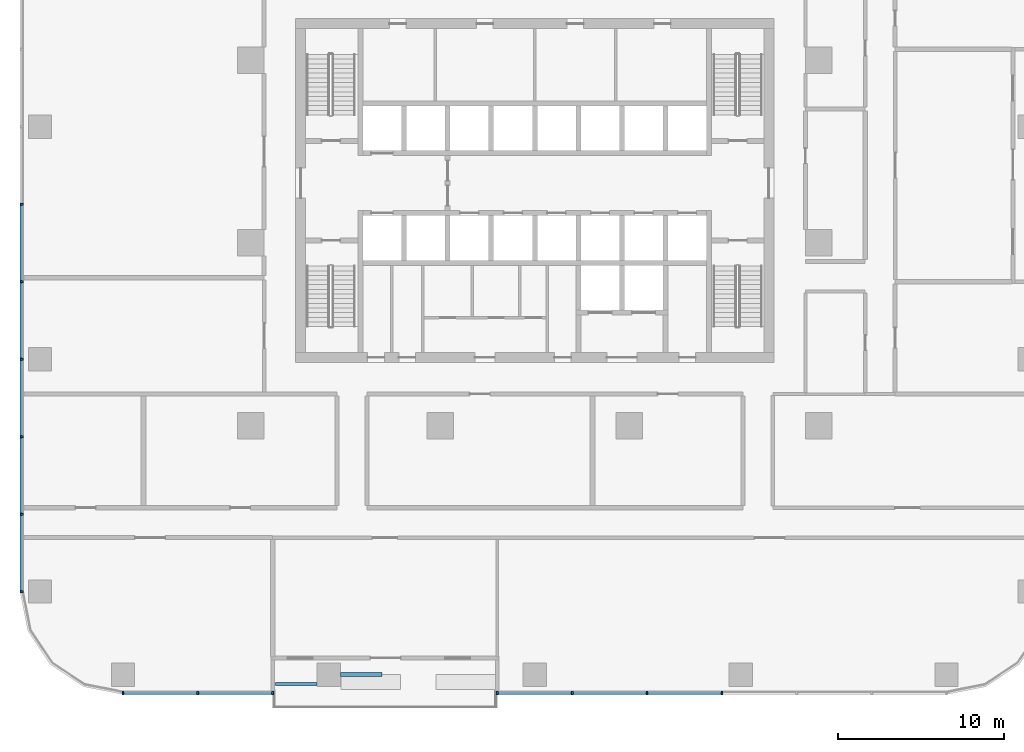
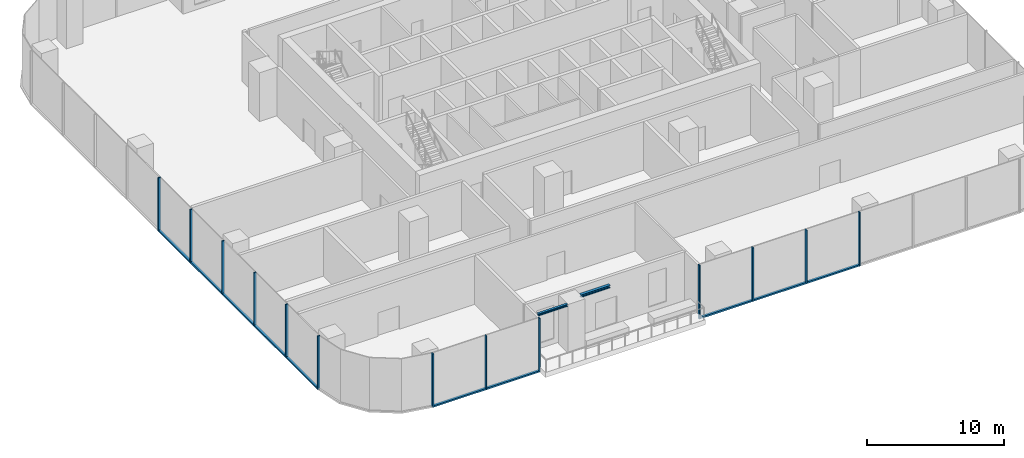
# One storey, part 2 of 15: 23 members, 2 beams, 3 elements without a shape of their own.
"""IFC4 building model written with IfcOpenShell, lengths in metres."""

from ifc_helpers import new_model, si_unit, direction, frame, origin, origin_2d, place, context, subcontext, project, spatial, rectangle, i_section, extrude, material, material_profile, profile_set, type_object, element, aggregate, save


model = new_model("IFC4")

# Units and contexts
model_context = context("Model", 3, precision=1e-05, world=origin(), true_north=direction((0.0, 1.0)))
body_context = subcontext(model_context, "Body", "Model", "MODEL_VIEW")
ifc_project = project(units=[si_unit("LENGTHUNIT", "METRE"), si_unit("AREAUNIT", "SQUARE_METRE"), si_unit("VOLUMEUNIT", "CUBIC_METRE"), si_unit("PLANEANGLEUNIT", "RADIAN"), si_unit("MASSUNIT", "GRAM", prefix="KILO")], contexts=[model_context])

# Site, building, storey
site_placement = place(None, origin())
site = spatial("IfcSite", under=ifc_project, at=site_placement, CompositionType="ELEMENT")
building_placement = place(site_placement, origin())
building = spatial("IfcBuilding", under=site, at=building_placement, Name="Mopane Tessera Tower", CompositionType="ELEMENT")
storey_placement = place(building_placement, frame((0.0, 0.0, 64.60009765625)))
storey = spatial("IfcBuildingStorey", under=building, at=storey_placement, Name="L12", CompositionType="ELEMENT", Elevation=64.60009765625)

# Curtain wall, members
ifc_material_1 = material(Name="Aluminium frame", Category="aluminium")
curtain_wall_type = type_object("IfcCurtainWallType", Name="Lower tower unitised wall", PredefinedType="NOTDEFINED", material=ifc_material_1)
curtain_wall_1_placement = place(storey_placement, origin())
curtain_wall_1 = element("IfcCurtainWall", 1, at=curtain_wall_1_placement, inside=storey, type_object=curtain_wall_type, Name="e:cw:L12:S:0", PredefinedType="NOTDEFINED")
ifc_material_2 = material(Name="Aluminium frame", Category="aluminium")
ifc_material_profile_1 = material_profile(ifc_material_2, rectangle(XDim=0.110107421875, YDim=0.199951171875, at=origin_2d()))
ifc_profile_set_1 = profile_set([ifc_material_profile_1], Name="Aluminium frame")
member_type_1 = type_object("IfcMemberType", Name="Aluminium mullion 110 x 200", PredefinedType="MULLION", material=ifc_profile_set_1)
member_1_placement = place(storey_placement, frame((-24.800048828125, -27.10009765625, -0.4501953125), z_axis=(0.0, 0.0, 1.0), x_axis=(1.0, 0.0, 0.0)))
member_1 = element("IfcMember", 2, at=member_1_placement, type_object=member_type_1, Name="e:cw:L12:S:0:mu0", PredefinedType="MULLION", context=body_context, shape_type="SweptSolid", body=[
    extrude(rectangle(XDim=0.110107421875, YDim=0.199951171875, at=origin_2d()), origin(), (0.0, 0.0, 1.0), 4.800048828125),
])
member_2_placement = place(storey_placement, frame((-20.291015625, -27.10009765625, -0.4501953125), z_axis=(0.0, 0.0, 1.0), x_axis=(1.0, 0.0, 0.0)))
member_2 = element("IfcMember", 3, at=member_2_placement, type_object=member_type_1, Name="e:cw:L12:S:0:mu1", PredefinedType="MULLION", context=body_context, shape_type="SweptSolid", body=[
    extrude(rectangle(XDim=0.110107421875, YDim=0.199951171875, at=origin_2d()), origin(), (0.0, 0.0, 1.0), 4.800048828125),
])
member_3_placement = place(storey_placement, frame((-15.78173828125, -27.10009765625, -0.4501953125), z_axis=(0.0, 0.0, 1.0), x_axis=(1.0, 0.0, 0.0)))
member_3 = element("IfcMember", 4, at=member_3_placement, type_object=member_type_1, Name="e:cw:L12:S:0:mu2", PredefinedType="MULLION", context=body_context, shape_type="SweptSolid", body=[
    extrude(rectangle(XDim=0.110107421875, YDim=0.199951171875, at=origin_2d()), origin(), (0.0, 0.0, 1.0), 4.800048828125),
])

curtain_wall_2_placement = place(storey_placement, origin())
curtain_wall_2 = element("IfcCurtainWall", 5, at=curtain_wall_2_placement, inside=storey, type_object=curtain_wall_type, Name="e:cw:L12:S:5", PredefinedType="NOTDEFINED")
member_4_placement = place(storey_placement, frame((-2.254638671875, -27.10009765625, -0.4501953125), z_axis=(0.0, 0.0, 1.0), x_axis=(1.0, 0.0, 0.0)))
member_4 = element("IfcMember", 6, at=member_4_placement, type_object=member_type_1, Name="e:cw:L12:S:5:mu5", PredefinedType="MULLION", context=body_context, shape_type="SweptSolid", body=[
    extrude(rectangle(XDim=0.110107421875, YDim=0.199951171875, at=origin_2d()), origin(), (0.0, 0.0, 1.0), 4.800048828125),
])
member_5_placement = place(storey_placement, frame((2.254638671875, -27.10009765625, -0.4501953125), z_axis=(0.0, 0.0, 1.0), x_axis=(1.0, 0.0, 0.0)))
member_5 = element("IfcMember", 7, at=member_5_placement, type_object=member_type_1, Name="e:cw:L12:S:5:mu6", PredefinedType="MULLION", context=body_context, shape_type="SweptSolid", body=[
    extrude(rectangle(XDim=0.110107421875, YDim=0.199951171875, at=origin_2d()), origin(), (0.0, 0.0, 1.0), 4.800048828125),
])
member_6_placement = place(storey_placement, frame((6.763671875, -27.10009765625, -0.4501953125), z_axis=(0.0, 0.0, 1.0), x_axis=(1.0, 0.0, 0.0)))
member_6 = element("IfcMember", 8, at=member_6_placement, type_object=member_type_1, Name="e:cw:L12:S:5:mu7", PredefinedType="MULLION", context=body_context, shape_type="SweptSolid", body=[
    extrude(rectangle(XDim=0.110107421875, YDim=0.199951171875, at=origin_2d()), origin(), (0.0, 0.0, 1.0), 4.800048828125),
])
member_7_placement = place(storey_placement, frame((11.272705078125, -27.10009765625, -0.4501953125), z_axis=(0.0, 0.0, 1.0), x_axis=(1.0, 0.0, 0.0)))
member_7 = element("IfcMember", 9, at=member_7_placement, type_object=member_type_1, Name="e:cw:L12:S:5:mu8", PredefinedType="MULLION", context=body_context, shape_type="SweptSolid", body=[
    extrude(rectangle(XDim=0.110107421875, YDim=0.199951171875, at=origin_2d()), origin(), (0.0, 0.0, 1.0), 4.800048828125),
])

curtain_wall_3_placement = place(storey_placement, origin())
curtain_wall_3 = element("IfcCurtainWall", 10, at=curtain_wall_3_placement, inside=storey, type_object=curtain_wall_type, Name="e:cw:L12:W:0", PredefinedType="NOTDEFINED")
member_8_placement = place(storey_placement, frame((-30.89990234375, 2.333251953125, -0.4501953125), z_axis=(0.0, 0.0, 1.0), x_axis=(0.0, -1.0, 0.0)))
member_8 = element("IfcMember", 11, at=member_8_placement, type_object=member_type_1, Name="e:cw:L12:W:0:mu4", PredefinedType="MULLION", context=body_context, shape_type="SweptSolid", body=[
    extrude(rectangle(XDim=0.110107421875, YDim=0.199951171875, at=origin_2d()), origin(), (0.0, 0.0, 1.0), 4.800048828125),
])
member_9_placement = place(storey_placement, frame((-30.89990234375, -2.333251953125, -0.4501953125), z_axis=(0.0, 0.0, 1.0), x_axis=(0.0, -1.0, 0.0)))
member_9 = element("IfcMember", 12, at=member_9_placement, type_object=member_type_1, Name="e:cw:L12:W:0:mu5", PredefinedType="MULLION", context=body_context, shape_type="SweptSolid", body=[
    extrude(rectangle(XDim=0.110107421875, YDim=0.199951171875, at=origin_2d()), origin(), (0.0, 0.0, 1.0), 4.800048828125),
])
member_10_placement = place(storey_placement, frame((-30.89990234375, -7.0, -0.4501953125), z_axis=(0.0, 0.0, 1.0), x_axis=(0.0, -1.0, 0.0)))
member_10 = element("IfcMember", 13, at=member_10_placement, type_object=member_type_1, Name="e:cw:L12:W:0:mu6", PredefinedType="MULLION", context=body_context, shape_type="SweptSolid", body=[
    extrude(rectangle(XDim=0.110107421875, YDim=0.199951171875, at=origin_2d()), origin(), (0.0, 0.0, 1.0), 4.800048828125),
])
member_11_placement = place(storey_placement, frame((-30.89990234375, -11.666748046875, -0.4501953125), z_axis=(0.0, 0.0, 1.0), x_axis=(0.0, -1.0, 0.0)))
member_11 = element("IfcMember", 14, at=member_11_placement, type_object=member_type_1, Name="e:cw:L12:W:0:mu7", PredefinedType="MULLION", context=body_context, shape_type="SweptSolid", body=[
    extrude(rectangle(XDim=0.110107421875, YDim=0.199951171875, at=origin_2d()), origin(), (0.0, 0.0, 1.0), 4.800048828125),
])
member_12_placement = place(storey_placement, frame((-30.89990234375, -16.333251953125, -0.4501953125), z_axis=(0.0, 0.0, 1.0), x_axis=(0.0, -1.0, 0.0)))
member_12 = element("IfcMember", 15, at=member_12_placement, type_object=member_type_1, Name="e:cw:L12:W:0:mu8", PredefinedType="MULLION", context=body_context, shape_type="SweptSolid", body=[
    extrude(rectangle(XDim=0.110107421875, YDim=0.199951171875, at=origin_2d()), origin(), (0.0, 0.0, 1.0), 4.800048828125),
])
member_13_placement = place(storey_placement, frame((-30.89990234375, -21.0, -0.4501953125), z_axis=(0.0, 0.0, 1.0), x_axis=(0.0, -1.0, 0.0)))
member_13 = element("IfcMember", 16, at=member_13_placement, type_object=member_type_1, Name="e:cw:L12:W:0:mu9", PredefinedType="MULLION", context=body_context, shape_type="SweptSolid", body=[
    extrude(rectangle(XDim=0.110107421875, YDim=0.199951171875, at=origin_2d()), origin(), (0.0, 0.0, 1.0), 4.800048828125),
])

# Member
ifc_material_3 = material(Name="Aluminium frame", Category="aluminium")
ifc_material_profile_2 = material_profile(ifc_material_3, rectangle(XDim=0.199951171875, YDim=0.139892578125, at=origin_2d()))
ifc_profile_set_2 = profile_set([ifc_material_profile_2], Name="Aluminium frame")
member_type_2 = type_object("IfcMemberType", Name="Aluminium transom 200 x 140", PredefinedType="USERDEFINED", material=ifc_profile_set_2)
member_14_placement = place(storey_placement, frame((-24.7451171875, -27.10009765625, -0.380126953125), z_axis=(1.0, 0.0, 0.0), x_axis=(0.0, 1.0, 0.0)))
member_14 = element("IfcMember", 17, at=member_14_placement, type_object=member_type_2, Name="e:cw:L12:S:0:tr0", ObjectType="TRANSOM", PredefinedType="USERDEFINED", context=body_context, shape_type="SweptSolid", body=[
    extrude(rectangle(XDim=0.199951171875, YDim=0.139892578125, at=origin_2d()), origin(), (0.0, 0.0, 1.0), 4.399169921875),
])

member_15_placement = place(storey_placement, frame((-20.23583984375, -27.10009765625, -0.380126953125), z_axis=(1.0, 0.0, 0.0), x_axis=(0.0, 1.0, 0.0)))
member_15 = element("IfcMember", 18, at=member_15_placement, type_object=member_type_2, Name="e:cw:L12:S:0:tr1", ObjectType="TRANSOM", PredefinedType="USERDEFINED", context=body_context, shape_type="SweptSolid", body=[
    extrude(rectangle(XDim=0.199951171875, YDim=0.139892578125, at=origin_2d()), origin(), (0.0, 0.0, 1.0), 4.39892578125),
])

aggregate(curtain_wall_1, [member_1, member_2, member_3, member_14, member_15])

member_16_placement = place(storey_placement, frame((-2.199462890625, -27.10009765625, -0.380126953125), z_axis=(1.0, 0.0, 0.0), x_axis=(0.0, 1.0, 0.0)))
member_16 = element("IfcMember", 19, at=member_16_placement, type_object=member_type_2, Name="e:cw:L12:S:5:tr5", ObjectType="TRANSOM", PredefinedType="USERDEFINED", context=body_context, shape_type="SweptSolid", body=[
    extrude(rectangle(XDim=0.199951171875, YDim=0.139892578125, at=origin_2d()), origin(), (0.0, 0.0, 1.0), 4.39892578125),
])

member_17_placement = place(storey_placement, frame((2.3095703125, -27.10009765625, -0.380126953125), z_axis=(1.0, 0.0, 0.0), x_axis=(0.0, 1.0, 0.0)))
member_17 = element("IfcMember", 20, at=member_17_placement, type_object=member_type_2, Name="e:cw:L12:S:5:tr6", ObjectType="TRANSOM", PredefinedType="USERDEFINED", context=body_context, shape_type="SweptSolid", body=[
    extrude(rectangle(XDim=0.199951171875, YDim=0.139892578125, at=origin_2d()), origin(), (0.0, 0.0, 1.0), 4.399169921875),
])

member_18_placement = place(storey_placement, frame((6.818603515625, -27.10009765625, -0.380126953125), z_axis=(1.0, 0.0, 0.0), x_axis=(0.0, 1.0, 0.0)))
member_18 = element("IfcMember", 21, at=member_18_placement, type_object=member_type_2, Name="e:cw:L12:S:5:tr7", ObjectType="TRANSOM", PredefinedType="USERDEFINED", context=body_context, shape_type="SweptSolid", body=[
    extrude(rectangle(XDim=0.199951171875, YDim=0.139892578125, at=origin_2d()), origin(), (0.0, 0.0, 1.0), 4.399169921875),
])

aggregate(curtain_wall_2, [member_4, member_5, member_6, member_7, member_16, member_17, member_18])

member_19_placement = place(storey_placement, frame((-30.89990234375, 2.2783203125, -0.380126953125), z_axis=(0.0, -1.0, 0.0), x_axis=(1.0, 0.0, 0.0)))
member_19 = element("IfcMember", 22, at=member_19_placement, type_object=member_type_2, Name="e:cw:L12:W:0:tr4", ObjectType="TRANSOM", PredefinedType="USERDEFINED", context=body_context, shape_type="SweptSolid", body=[
    extrude(rectangle(XDim=0.199951171875, YDim=0.139892578125, at=origin_2d()), origin(), (0.0, 0.0, 1.0), 4.556640625),
])

member_20_placement = place(storey_placement, frame((-30.89990234375, -2.388427734375, -0.380126953125), z_axis=(0.0, -1.0, 0.0), x_axis=(1.0, 0.0, 0.0)))
member_20 = element("IfcMember", 23, at=member_20_placement, type_object=member_type_2, Name="e:cw:L12:W:0:tr5", ObjectType="TRANSOM", PredefinedType="USERDEFINED", context=body_context, shape_type="SweptSolid", body=[
    extrude(rectangle(XDim=0.199951171875, YDim=0.139892578125, at=origin_2d()), origin(), (0.0, 0.0, 1.0), 4.556640625),
])

member_21_placement = place(storey_placement, frame((-30.89990234375, -7.054931640625, -0.380126953125), z_axis=(0.0, -1.0, 0.0), x_axis=(1.0, 0.0, 0.0)))
member_21 = element("IfcMember", 24, at=member_21_placement, type_object=member_type_2, Name="e:cw:L12:W:0:tr6", ObjectType="TRANSOM", PredefinedType="USERDEFINED", context=body_context, shape_type="SweptSolid", body=[
    extrude(rectangle(XDim=0.199951171875, YDim=0.139892578125, at=origin_2d()), origin(), (0.0, 0.0, 1.0), 4.556640625),
])

member_22_placement = place(storey_placement, frame((-30.89990234375, -11.7216796875, -0.380126953125), z_axis=(0.0, -1.0, 0.0), x_axis=(1.0, 0.0, 0.0)))
member_22 = element("IfcMember", 25, at=member_22_placement, type_object=member_type_2, Name="e:cw:L12:W:0:tr7", ObjectType="TRANSOM", PredefinedType="USERDEFINED", context=body_context, shape_type="SweptSolid", body=[
    extrude(rectangle(XDim=0.199951171875, YDim=0.139892578125, at=origin_2d()), origin(), (0.0, 0.0, 1.0), 4.556640625),
])

member_23_placement = place(storey_placement, frame((-30.89990234375, -16.388427734375, -0.380126953125), z_axis=(0.0, -1.0, 0.0), x_axis=(1.0, 0.0, 0.0)))
member_23 = element("IfcMember", 26, at=member_23_placement, type_object=member_type_2, Name="e:cw:L12:W:0:tr8", ObjectType="TRANSOM", PredefinedType="USERDEFINED", context=body_context, shape_type="SweptSolid", body=[
    extrude(rectangle(XDim=0.199951171875, YDim=0.139892578125, at=origin_2d()), origin(), (0.0, 0.0, 1.0), 4.556640625),
])

aggregate(curtain_wall_3, [member_8, member_9, member_10, member_11, member_12, member_13, member_19, member_20, member_21, member_22, member_23])

# Beams
ifc_material_4 = material(Name="Structural steel S460", Category="steel")
ifc_material_profile_3 = material_profile(ifc_material_4, i_section(OverallWidth=0.239990234375, OverallDepth=0.239990234375, WebThickness=0.010009765625, FlangeThickness=0.01708984375, FilletRadius=0.02099609375, at=origin_2d()))
ifc_profile_set_3 = profile_set([ifc_material_profile_3], Name="Structural steel S460")
beam_type_1 = type_object("IfcBeamType", Name="Terrace spandrel beam HE 240 B", PredefinedType="SPANDREL", material=ifc_profile_set_3)
beam_1_placement = place(storey_placement, frame((-11.697021484375, -26.0, 4.22998046875), z_axis=(1.0, 0.0, 0.0), x_axis=(0.0, 1.0, 0.0)))
element("IfcBeam", 27, at=beam_1_placement, inside=storey, type_object=beam_type_1, Name="Terrace spandrel beam N3 L13", PredefinedType="SPANDREL", context=body_context, shape_type="SweptSolid", body=[
    extrude(i_section(OverallWidth=0.239990234375, OverallDepth=0.239990234375, WebThickness=0.010009765625, FlangeThickness=0.01708984375, FilletRadius=0.02099609375, at=origin_2d()), origin(), (0.0, 0.0, 1.0), 2.5),
])
ifc_material_5 = material(Name="Structural steel S460", Category="steel")
ifc_material_profile_4 = material_profile(ifc_material_5, i_section(OverallWidth=0.199951171875, OverallDepth=0.199951171875, WebThickness=0.009033203125, FlangeThickness=0.014892578125, FilletRadius=0.01806640625, at=origin_2d()))
ifc_profile_set_4 = profile_set([ifc_material_profile_4], Name="Structural steel S460")
beam_type_2 = type_object("IfcBeamType", Name="Terrace trimmer beam HE 200 B", PredefinedType="BEAM", material=ifc_profile_set_4)
beam_2_placement = place(storey_placement, frame((-13.102783203125, -26.56005859375, 4.25), z_axis=(-1.0, 0.0, 0.0), x_axis=(0.0, -1.0, 0.0)))
element("IfcBeam", 28, at=beam_2_placement, inside=storey, type_object=beam_type_2, Name="Terrace trimmer beam N3 L13", PredefinedType="BEAM", context=body_context, shape_type="SweptSolid", body=[
    extrude(i_section(OverallWidth=0.199951171875, OverallDepth=0.199951171875, WebThickness=0.009033203125, FlangeThickness=0.014892578125, FilletRadius=0.01806640625, at=origin_2d()), origin(), (0.0, 0.0, 1.0), 2.5),
])

save(model, "model.ifc")
